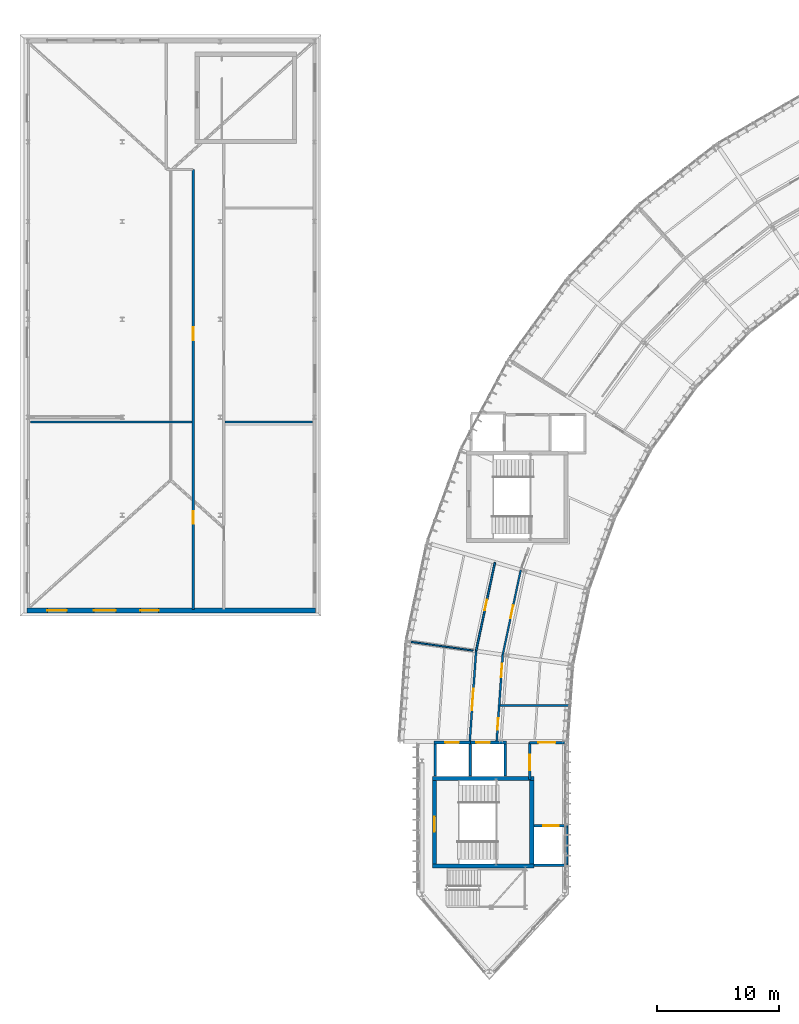
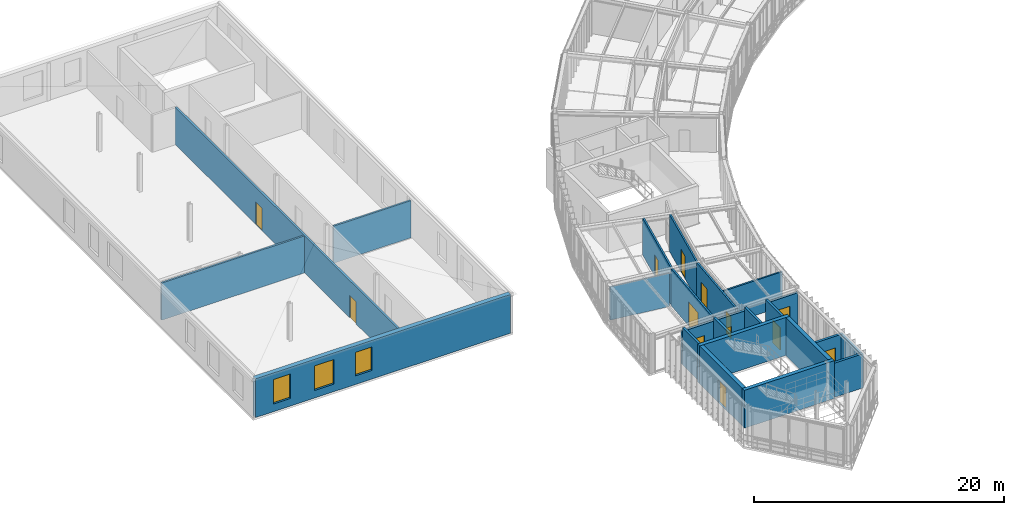
# One storey, part 29 of 42: 24 walls, 13 doors, 3 windows, 16 openings.
"""IFC4 building model written with IfcOpenShell, lengths in metres."""

import ifcopenshell
import ifcopenshell.guid

model = None  # the IFC model being written
_history = None  # IfcOwnerHistory: only IFC2X3 demands one
_inside = {}  # id of a spatial element -> (the spatial element, [elements in it])
_under = {}  # id of a project, library or spatial element -> (it, [spatial elements below it])
_declared = {}  # id of a project -> (the project, [libraries it declares])
_typed = {}  # id of a type object -> (the type object, [elements of that type])
_made_of = {}  # id of a material, layer set ... -> (it, [elements and type objects made of it])


def new_model(schema):
    """Start an empty IFC model of exactly this schema.

    Asked for "IFC4X3", IfcOpenShell would pick the latest addendum, in which some entities
    have other attributes; the version numbers below select the first issue.
    IFC2X3 requires an IfcOwnerHistory on every rooted entity: one is made here for all.
    """
    global model, _history
    if schema == "IFC4X3":
        model = ifcopenshell.file(schema_version=(4, 3, 0, 0))
    else:
        model = ifcopenshell.file(schema=schema)
    _inside.clear()
    _under.clear()
    _declared.clear()
    _typed.clear()
    _made_of.clear()
    _history = None
    if model.schema == "IFC2X3":
        org = make("IfcOrganization", Name="unknown")
        user = make(
            "IfcPersonAndOrganization",
            ThePerson=make("IfcPerson", FamilyName="unknown"),
            TheOrganization=org,
        )
        app = make(
            "IfcApplication",
            ApplicationDeveloper=org,
            Version="unknown",
            ApplicationFullName="unknown",
            ApplicationIdentifier="unknown",
        )
        _history = make(
            "IfcOwnerHistory",
            OwningUser=user,
            OwningApplication=app,
            ChangeAction="ADDED",
            CreationDate=0,
        )
    return model


def make(cls, **values):
    """One entity of the class cls with the attributes given. An attribute that is None is left unset."""
    return model.create_entity(
        cls, **{name: value for name, value in values.items() if value is not None}
    )


def rooted(cls, **values):
    """An entity with a GlobalId (a new one), such as an element, a storey or a relation."""
    return make(cls, GlobalId=ifcopenshell.guid.new(), OwnerHistory=_history, **values)


def si_unit(unit_type, name, prefix=None):
    """IfcSIUnit, for example si_unit("LENGTHUNIT", "METRE", prefix="MILLI")."""
    return make("IfcSIUnit", UnitType=unit_type, Prefix=prefix, Name=name)


def assignment(units):
    """IfcUnitAssignment: the units of a project."""
    return None if units is None else make("IfcUnitAssignment", Units=units)


def point(xyz):
    """IfcCartesianPoint."""
    return None if xyz is None else make("IfcCartesianPoint", Coordinates=xyz)


def direction(xyz):
    """IfcDirection."""
    return None if xyz is None else make("IfcDirection", DirectionRatios=xyz)


def frame(location, z_axis=None, x_axis=None):
    """IfcAxis2Placement3D, a coordinate frame: its origin and axes. An axis left out is left unset."""
    return make(
        "IfcAxis2Placement3D",
        Location=point(location),
        Axis=direction(z_axis),
        RefDirection=direction(x_axis),
    )


def frame_2d(location, x_axis=None):
    """IfcAxis2Placement2D, a coordinate frame in the plane: its origin and x axis."""
    return make(
        "IfcAxis2Placement2D", Location=point(location), RefDirection=direction(x_axis)
    )


def origin():
    """The frame at (0, 0, 0) with its axes left unset."""
    return frame((0.0, 0.0, 0.0))


def place(relative_to, where):
    """IfcLocalPlacement: puts the frame where relative to a parent placement (None: the world)."""
    return make(
        "IfcLocalPlacement", PlacementRelTo=relative_to, RelativePlacement=where
    )


def context(
    kind, dimensions, precision=None, world=None, true_north=None, identifier=None
):
    """IfcGeometricRepresentationContext, for example the 3D "Model" context."""
    return make(
        "IfcGeometricRepresentationContext",
        ContextIdentifier=identifier,
        ContextType=kind,
        CoordinateSpaceDimension=dimensions,
        Precision=precision,
        WorldCoordinateSystem=world,
        TrueNorth=true_north,
    )


def subcontext(parent, identifier, kind, view, scale=None):
    """IfcGeometricRepresentationSubContext, for example "Body" below "Model"."""
    return make(
        "IfcGeometricRepresentationSubContext",
        ContextIdentifier=identifier,
        ContextType=kind,
        ParentContext=parent,
        TargetScale=scale,
        TargetView=view,
    )


def project(units=None, contexts=None):
    """IfcProject with its units and contexts."""
    return rooted(
        "IfcProject",
        Name="project",
        RepresentationContexts=contexts,
        UnitsInContext=assignment(units),
    )


def spatial(cls, under=None, at=None, **own):
    """A site, building, storey or space (cls), placed at a placement, below another one or the project."""
    s = rooted(cls, ObjectPlacement=at, **own)
    if under is not None:
        _under.setdefault(under.id(), (under, []))[1].append(s)
    return s


def profile(cls, at=None, kind="AREA", **sizes):
    """A parametric profile (cls). Its sizes go by their IFC names, for example OverallWidth=200.0."""
    return make(cls, ProfileType=kind, Position=at, **sizes)


def rectangle(**sizes):
    """IfcRectangleProfileDef."""
    return profile("IfcRectangleProfileDef", **sizes)


def extrude(swept, where, along, depth):
    """IfcExtrudedAreaSolid: the profile swept, set in the frame where, extruded along a direction by depth."""
    return make(
        "IfcExtrudedAreaSolid",
        SweptArea=swept,
        Position=where,
        ExtrudedDirection=direction(along),
        Depth=depth,
    )


def shape(context_of_items, identifier, shape_type, items):
    """IfcShapeRepresentation: the items that make up one representation, for example the "Body"."""
    return make(
        "IfcShapeRepresentation",
        ContextOfItems=context_of_items,
        RepresentationIdentifier=identifier,
        RepresentationType=shape_type,
        Items=items,
    )


def material(Name=None, Category=None):
    """IfcMaterial."""
    return make("IfcMaterial", Name=Name, Category=Category)


def layer(
    of_material, thickness, ventilated=None, Name=None, Category=None, Priority=None
):
    """IfcMaterialLayer: one layer of a wall or slab, of a material (None: an air gap)."""
    return make(
        "IfcMaterialLayer",
        Material=of_material,
        LayerThickness=thickness,
        IsVentilated=ventilated,
        Name=Name,
        Category=Category,
        Priority=Priority,
    )


def layer_set(layers, Name=None):
    """IfcMaterialLayerSet."""
    return make("IfcMaterialLayerSet", MaterialLayers=layers, LayerSetName=Name)


def made_of(thing, what):
    """Note that an element or type object is made of a material, layer set ...; save() writes the relation."""
    if what is not None:
        _made_of.setdefault(what.id(), (what, []))[1].append(thing)
    return thing


def type_object(cls, material=None, **own):
    """A type object (cls), such as IfcWallType, which elements share."""
    return made_of(rooted(cls, **own), material)


def element(
    cls,
    number,
    at=None,
    inside=None,
    cuts=None,
    type_object=None,
    material=None,
    context=None,
    identifier="Body",
    shape_type=None,
    held_by="IfcProductDefinitionShape",
    body=None,
    shapes=None,
    **own,
):
    """One element of the class cls, such as IfcWall. Its Tag is "e" and its number.

    at: its placement. inside: the storey or other place that contains it. cuts: it is an
    opening in that element (IfcRelVoidsElement). A single representation is given by context,
    identifier, shape_type and body (its items); several are given by shapes. held_by: the class
    of the entity that holds the representations. save() writes the other relations.
    """
    e = rooted(cls, Tag="e%d" % number, ObjectPlacement=at, **own)
    if body is not None:
        shapes = [shape(context, identifier, shape_type, body)]
    if shapes is not None:
        e.Representation = make(held_by, Representations=shapes)
    if inside is not None:
        _inside.setdefault(inside.id(), (inside, []))[1].append(e)
    if cuts is not None:
        rooted(
            "IfcRelVoidsElement", RelatingBuildingElement=cuts, RelatedOpeningElement=e
        )
    if type_object is not None:
        _typed.setdefault(type_object.id(), (type_object, []))[1].append(e)
    return made_of(e, material)


def fill(opening, filler):
    """IfcRelFillsElement: the door or window that sits in an opening."""
    return rooted(
        "IfcRelFillsElement",
        RelatingOpeningElement=opening,
        RelatedBuildingElement=filler,
    )


def aggregate(whole, parts):
    """IfcRelAggregates: a whole, such as a stair, and the parts it consists of."""
    return rooted("IfcRelAggregates", RelatingObject=whole, RelatedObjects=parts)


def save(model, path):
    """Write the relations noted so far, then the file.

    IfcRelAggregates (storeys below a building ...), IfcRelContainedInSpatialStructure (elements
    in a storey), IfcRelDefinesByType, IfcRelAssociatesMaterial and IfcRelDeclares: one each for
    every whole, place, type object, material and project.
    """
    for whole, parts in _under.values():
        aggregate(whole, parts)
    for where, things in _inside.values():
        rooted(
            "IfcRelContainedInSpatialStructure",
            RelatedElements=things,
            RelatingStructure=where,
        )
    for kind, things in _typed.values():
        rooted("IfcRelDefinesByType", RelatedObjects=things, RelatingType=kind)
    for what, things in _made_of.values():
        rooted("IfcRelAssociatesMaterial", RelatedObjects=things, RelatingMaterial=what)
    for by, libraries in _declared.values():
        rooted("IfcRelDeclares", RelatingContext=by, RelatedDefinitions=libraries)
    model.write(path)


model = new_model("IFC4")

# Units and contexts
model_context = context("Model", 3, precision=1e-05, world=origin(), true_north=direction((0.0, 1.0)))
body_context = subcontext(model_context, "Body", "Model", "MODEL_VIEW")
ifc_project = project(units=[si_unit("LENGTHUNIT", "METRE"), si_unit("AREAUNIT", "SQUARE_METRE"), si_unit("VOLUMEUNIT", "CUBIC_METRE"), si_unit("PLANEANGLEUNIT", "RADIAN"), si_unit("MASSUNIT", "GRAM", prefix="KILO"), si_unit("THERMODYNAMICTEMPERATUREUNIT", "KELVIN"), si_unit("POWERUNIT", "WATT")], contexts=[model_context])

# Site, building, storey
site_placement = place(None, origin())
site = spatial("IfcSite", under=ifc_project, at=site_placement, CompositionType="ELEMENT")
building_placement = place(site_placement, origin())
building = spatial("IfcBuilding", under=site, at=building_placement, Name="Solvatero Civic Police Headquarters", CompositionType="ELEMENT")
storey_placement = place(building_placement, frame((0.0, 0.0, 21.60009765625)))
storey = spatial("IfcBuildingStorey", under=building, at=storey_placement, Name="L05", CompositionType="ELEMENT", Elevation=21.60009765625)

# Wall, openings, windows
ifc_material_1 = material(Name="Cream Limestone Ashlar", Category="masonry")
ifc_layer_1 = layer(ifc_material_1, 0.419921875)
ifc_layer_set_1 = layer_set([ifc_layer_1], Name="Cream Limestone Ashlar")
wall_type_1 = type_object("IfcWallType", Name="WL-EXT-LIME-420", PredefinedType="SOLIDWALL", material=ifc_layer_set_1)
wall_1_placement = place(storey_placement, frame((4.719970703125, 36.7099609375, 0.0), z_axis=(0.0, 0.0, 1.0), x_axis=(1.0, 0.0, 0.0)))
wall_1 = element("IfcWall", 1, at=wall_1_placement, inside=storey, type_object=wall_type_1, Name="Exterior Wall WLE-L05-V6-S", PredefinedType="SOLIDWALL", context=body_context, shape_type="SweptSolid", body=[
    extrude(rectangle(XDim=23.56005859375, YDim=0.419921875, at=frame_2d((11.780029296875, 0.0))), origin(), (0.0, 0.0, 1.0), 3.77978515625),
])
opening_1_placement = place(wall_1_placement, frame((1.64990234375, 0.0, 0.739990234375)))
opening_1 = element("IfcOpeningElement", 2, at=opening_1_placement, cuts=wall_1, Name="Opening W-04", PredefinedType="OPENING", context=body_context, shape_type="SweptSolid", body=[
    extrude(rectangle(XDim=1.60009765625, YDim=2.39990234375, at=frame_2d((0.800048828125, 1.199951171875))), frame((0.0, 0.219970703125, 0.0), z_axis=(0.0, -1.0, 0.0), x_axis=(1.0, 0.0, 0.0)), (0.0, 0.0, 1.0), 0.43994140625),
])
opening_2_placement = place(wall_1_placement, frame((5.449951171875, 0.0, 0.739990234375)))
opening_2 = element("IfcOpeningElement", 3, at=opening_2_placement, cuts=wall_1, Name="Opening W-05", PredefinedType="OPENING", context=body_context, shape_type="SweptSolid", body=[
    extrude(rectangle(XDim=1.800048828125, YDim=2.39990234375, at=frame_2d((0.89990234375, 1.199951171875))), frame((0.0, 0.219970703125, 0.0), z_axis=(0.0, -1.0, 0.0), x_axis=(1.0, 0.0, 0.0)), (0.0, 0.0, 1.0), 0.43994140625),
])
opening_3_placement = place(wall_1_placement, frame((9.25, 0.0, 0.840087890625)))
opening_3 = element("IfcOpeningElement", 4, at=opening_3_placement, cuts=wall_1, Name="Opening W-03", PredefinedType="OPENING", context=body_context, shape_type="SweptSolid", body=[
    extrude(rectangle(XDim=1.5, YDim=2.300048828125, at=frame_2d((0.75, 1.14990234375))), frame((0.0, 0.219970703125, 0.0), z_axis=(0.0, -1.0, 0.0), x_axis=(1.0, 0.0, 0.0)), (0.0, 0.0, 1.0), 0.43994140625),
])
ifc_material_2 = material(Name="Anodized Bronze Aluminium", Category="aluminium")
window_type_1 = type_object("IfcWindowType", Name="WN-CL-150x230", PartitioningType="SINGLE_PANEL", PredefinedType="WINDOW", material=ifc_material_2)
window_1_placement = place(opening_3_placement, origin())
window_1 = element("IfcWindow", 5, at=window_1_placement, inside=storey, type_object=window_type_1, Name="Exterior Window 0139", OverallHeight=2.300048828125, OverallWidth=1.5, PartitioningType="SINGLE_PANEL", PredefinedType="WINDOW", context=body_context, shape_type="SweptSolid", body=[
    extrude(rectangle(XDim=1.5, YDim=2.300048828125, at=frame_2d((0.75, 1.14990234375))), frame((0.0, 0.030029296875, 0.0), z_axis=(0.0, -1.0, 0.0), x_axis=(1.0, 0.0, 0.0)), (0.0, 0.0, 1.0), 0.06005859375),
])
fill(opening_3, window_1)
window_type_2 = type_object("IfcWindowType", Name="WN-CL-160x240", PartitioningType="SINGLE_PANEL", PredefinedType="WINDOW", material=ifc_material_2)
window_2_placement = place(opening_1_placement, origin())
window_2 = element("IfcWindow", 6, at=window_2_placement, inside=storey, type_object=window_type_2, Name="Exterior Window 0137", OverallHeight=2.39990234375, OverallWidth=1.60009765625, PartitioningType="SINGLE_PANEL", PredefinedType="WINDOW", context=body_context, shape_type="SweptSolid", body=[
    extrude(rectangle(XDim=1.60009765625, YDim=2.39990234375, at=frame_2d((0.800048828125, 1.199951171875))), frame((0.0, 0.030029296875, 0.0), z_axis=(0.0, -1.0, 0.0), x_axis=(1.0, 0.0, 0.0)), (0.0, 0.0, 1.0), 0.06005859375),
])
fill(opening_1, window_2)
window_type_3 = type_object("IfcWindowType", Name="WN-CL-180x240", PartitioningType="SINGLE_PANEL", PredefinedType="WINDOW", material=ifc_material_2)
window_3_placement = place(opening_2_placement, origin())
window_3 = element("IfcWindow", 7, at=window_3_placement, inside=storey, type_object=window_type_3, Name="Exterior Window 0138", OverallHeight=2.39990234375, OverallWidth=1.800048828125, PartitioningType="SINGLE_PANEL", PredefinedType="WINDOW", context=body_context, shape_type="SweptSolid", body=[
    extrude(rectangle(XDim=1.800048828125, YDim=2.39990234375, at=frame_2d((0.89990234375, 1.199951171875))), frame((0.0, 0.030029296875, 0.0), z_axis=(0.0, -1.0, 0.0), x_axis=(1.0, 0.0, 0.0)), (0.0, 0.0, 1.0), 0.06005859375),
])
fill(opening_2, window_3)

# Wall
ifc_material_3 = material(Name="Gypsum Acoustic Stud", Category="gypsum")
ifc_layer_2 = layer(ifc_material_3, 0.1201171875)
ifc_layer_set_2 = layer_set([ifc_layer_2], Name="Gypsum Acoustic Stud")
wall_type_2 = type_object("IfcWallType", Name="WL-PTN-120", PredefinedType="PARTITIONING", material=ifc_layer_set_2)
wall_2_placement = place(storey_placement, frame((41.169189453125, 33.4248046875, 0.0), z_axis=(0.0, 0.0, 1.0), x_axis=(-0.990266484291, 0.13918437445, 0.0)))
element("IfcWall", 8, at=wall_2_placement, inside=storey, type_object=wall_type_2, Name="Interior Partition WLP-L05-ARC-RAD-B11", PredefinedType="PARTITIONING", context=body_context, shape_type="SweptSolid", body=[
    extrude(rectangle(XDim=5.14990234375, YDim=0.1201171875, at=frame_2d((2.574951171875, 0.0))), origin(), (0.0, 0.0, 1.0), 3.25),
])

# Wall, opening, door
ifc_layer_3 = layer(ifc_material_3, 0.14990234375)
ifc_layer_set_3 = layer_set([ifc_layer_3], Name="Gypsum Acoustic Stud")
wall_type_3 = type_object("IfcWallType", Name="WL-PTN-150", PredefinedType="PARTITIONING", material=ifc_layer_set_3)
wall_3_placement = place(storey_placement, frame((45.07177734375, 40.02978515625, 0.0), z_axis=(0.0, 0.0, 1.0), x_axis=(-0.207903987445, -0.978149238104, 0.0)))
wall_3 = element("IfcWall", 9, at=wall_3_placement, inside=storey, type_object=wall_type_3, Name="Interior Partition WLP-L05-ARC-CIN-B11", PredefinedType="PARTITIONING", context=body_context, shape_type="SweptSolid", body=[
    extrude(rectangle(XDim=7.10107421875, YDim=0.14990234375, at=frame_2d((3.550537109375, 0.0))), origin(), (0.0, 0.0, 1.0), 3.619873046875),
])
opening_4_placement = place(wall_3_placement, frame((2.98193359375, 0.0, 0.0)))
opening_4 = element("IfcOpeningElement", 10, at=opening_4_placement, cuts=wall_3, Name="Opening ID-07", PredefinedType="OPENING", context=body_context, shape_type="SweptSolid", body=[
    extrude(rectangle(XDim=1.050048828125, YDim=2.199951171875, at=frame_2d((0.52490234375, 1.10009765625))), frame((0.0, 0.0849609375, 0.0), z_axis=(0.0, -1.0, 0.0), x_axis=(1.0, 0.0, 0.0)), (0.0, 0.0, 1.0), 0.169921875),
])
ifc_material_4 = material(Name="Powder-Coated Steel", Category="steel")
door_type_1 = type_object("IfcDoorType", Name="DR-LAB-105x220", OperationType="NOTDEFINED", PredefinedType="DOOR", material=ifc_material_4)
door_1_placement = place(opening_4_placement, origin())
door_1 = element("IfcDoor", 11, at=door_1_placement, inside=storey, type_object=door_type_1, Name="Interior Door DR-L05-ARC-IN-B11", OperationType="SINGLE_SWING_RIGHT", OverallHeight=2.199951171875, OverallWidth=1.050048828125, PredefinedType="DOOR", context=body_context, shape_type="SweptSolid", body=[
    extrude(rectangle(XDim=1.050048828125, YDim=2.199951171875, at=frame_2d((0.52490234375, 1.10009765625))), frame((0.0, 0.02490234375, 0.0), z_axis=(0.0, -1.0, 0.0), x_axis=(1.0, 0.0, 0.0)), (0.0, 0.0, 1.0), 0.050048828125),
])
fill(opening_4, door_1)

wall_4_placement = place(storey_placement, frame((42.95703125, 40.63623046875, 0.0), z_axis=(0.0, 0.0, 1.0), x_axis=(-0.207921820376, -0.978145447575, 0.0)))
wall_4 = element("IfcWall", 12, at=wall_4_placement, inside=storey, type_object=wall_type_3, Name="Interior Partition WLP-L05-ARC-COUT-B11", PredefinedType="PARTITIONING", context=body_context, shape_type="SweptSolid", body=[
    extrude(rectangle(XDim=7.407958984375, YDim=0.14990234375, at=frame_2d((3.7041015625, 0.0))), origin(), (0.0, 0.0, 1.0), 3.619873046875),
])
opening_5_placement = place(wall_4_placement, frame((3.111083984375, 0.0, 0.0)))
opening_5 = element("IfcOpeningElement", 13, at=opening_5_placement, cuts=wall_4, Name="Opening ID-02", PredefinedType="OPENING", context=body_context, shape_type="SweptSolid", body=[
    extrude(rectangle(XDim=0.89990234375, YDim=2.10009765625, at=frame_2d((0.449951171875, 1.050048828125))), frame((0.0, 0.0849609375, 0.0), z_axis=(0.0, -1.0, 0.0), x_axis=(1.0, 0.0, 0.0)), (0.0, 0.0, 1.0), 0.169921875),
])
ifc_material_5 = material(Name="Acoustic Oak Timber Veneer", Category="wood")
door_type_2 = type_object("IfcDoorType", Name="DR-OFF-090x210", OperationType="NOTDEFINED", PredefinedType="DOOR", material=ifc_material_5)
door_2_placement = place(opening_5_placement, origin())
door_2 = element("IfcDoor", 14, at=door_2_placement, inside=storey, type_object=door_type_2, Name="Interior Door DR-L05-ARC-OUT-B11", OperationType="SINGLE_SWING_LEFT", OverallHeight=2.10009765625, OverallWidth=0.89990234375, PredefinedType="DOOR", context=body_context, shape_type="SweptSolid", body=[
    extrude(rectangle(XDim=0.89990234375, YDim=2.10009765625, at=frame_2d((0.449951171875, 1.050048828125))), frame((0.0, 0.02490234375, 0.0), z_axis=(0.0, -1.0, 0.0), x_axis=(1.0, 0.0, 0.0)), (0.0, 0.0, 1.0), 0.050048828125),
])
fill(opening_5, door_2)

# Walls
wall_5_placement = place(storey_placement, frame((43.374755859375, 28.929931640625, 0.0), z_axis=(0.0, 0.0, 1.0), x_axis=(1.0, 0.0, 0.0)))
element("IfcWall", 15, at=wall_5_placement, inside=storey, type_object=wall_type_3, Name="Interior Partition WLP-L05-ARC-WCDIV-B12", PredefinedType="PARTITIONING", context=body_context, shape_type="SweptSolid", body=[
    extrude(rectangle(XDim=5.630126953125, YDim=0.14990234375, at=frame_2d((2.81494140625, 0.0))), origin(), (0.0, 0.0, 1.0), 3.39794921875),
])
ifc_material_6 = material(Name="Concrete Blockwork", Category="masonry")
ifc_layer_4 = layer(ifc_material_6, 0.1650390625)
ifc_layer_set_4 = layer_set([ifc_layer_4], Name="Concrete Blockwork")
wall_type_4 = type_object("IfcWallType", Name="WL-PTN-165", PredefinedType="PARTITIONING", material=ifc_layer_set_4)
wall_6_placement = place(storey_placement, frame((5.0, 52.10009765625, 0.0), z_axis=(0.0, 0.0, 1.0), x_axis=(1.0, 0.0, 0.0)))
element("IfcWall", 16, at=wall_6_placement, inside=storey, type_object=wall_type_4, Name="Interior Partition WLP-L05-V6-H1", PredefinedType="PARTITIONING", context=body_context, shape_type="SweptSolid", body=[
    extrude(rectangle(XDim=13.199951171875, YDim=0.1650390625, at=frame_2d((6.60009765625, 0.0))), origin(), (0.0, 0.0, 1.0), 3.619873046875),
])
wall_7_placement = place(storey_placement, frame((20.89990234375, 52.10009765625, 0.0), z_axis=(0.0, 0.0, 1.0), x_axis=(1.0, 0.0, 0.0)))
element("IfcWall", 17, at=wall_7_placement, inside=storey, type_object=wall_type_4, Name="Interior Partition WLP-L05-V6-H2", PredefinedType="PARTITIONING", context=body_context, shape_type="SweptSolid", body=[
    extrude(rectangle(XDim=7.150146484375, YDim=0.1650390625, at=frame_2d((3.5751953125, 0.0))), origin(), (0.0, 0.0, 1.0), 3.619873046875),
])

# Wall, openings, doors
wall_8_placement = place(storey_placement, frame((43.595458984375, 33.083984375, 0.0), z_axis=(0.0, 0.0, 1.0), x_axis=(-0.069756597752, -0.997564041588, 0.0)))
wall_8 = element("IfcWall", 18, at=wall_8_placement, inside=storey, type_object=wall_type_4, Name="Interior Partition WLP-L05-ARC-CIN-B12", PredefinedType="PARTITIONING", context=body_context, shape_type="SweptSolid", body=[
    extrude(rectangle(XDim=7.101318359375, YDim=0.1650390625, at=frame_2d((3.55078125, 0.0))), origin(), (0.0, 0.0, 1.0), 3.619873046875),
])
opening_6_placement = place(wall_8_placement, frame((5.200927734375, 0.0, 0.0)))
opening_6 = element("IfcOpeningElement", 19, at=opening_6_placement, cuts=wall_8, Name="Opening ID-04", PredefinedType="OPENING", context=body_context, shape_type="SweptSolid", body=[
    extrude(rectangle(XDim=0.949951171875, YDim=2.14990234375, at=frame_2d((0.47509765625, 1.074951171875))), frame((0.0, 0.092529296875, 0.0), z_axis=(0.0, -1.0, 0.0), x_axis=(1.0, 0.0, 0.0)), (0.0, 0.0, 1.0), 0.18505859375),
])
opening_7_placement = place(wall_8_placement, frame((0.75, 0.0, 0.0)))
opening_7 = element("IfcOpeningElement", 20, at=opening_7_placement, cuts=wall_8, Name="Opening ID-08", PredefinedType="OPENING", context=body_context, shape_type="SweptSolid", body=[
    extrude(rectangle(XDim=1.080078125, YDim=2.219970703125, at=frame_2d((0.5400390625, 1.10986328125))), frame((0.0, 0.092529296875, 0.0), z_axis=(0.0, -1.0, 0.0), x_axis=(1.0, 0.0, 0.0)), (0.0, 0.0, 1.0), 0.18505859375),
])
door_type_3 = type_object("IfcDoorType", Name="DR-ACC-095x215", OperationType="NOTDEFINED", PredefinedType="DOOR", material=ifc_material_5)
door_3_placement = place(opening_6_placement, origin())
door_3 = element("IfcDoor", 21, at=door_3_placement, inside=storey, type_object=door_type_3, Name="Interior Door DR-L05-ARC-WC-B12", OperationType="SINGLE_SWING_RIGHT", OverallHeight=2.14990234375, OverallWidth=0.949951171875, PredefinedType="DOOR", context=body_context, shape_type="SweptSolid", body=[
    extrude(rectangle(XDim=0.949951171875, YDim=2.14990234375, at=frame_2d((0.47509765625, 1.074951171875))), frame((0.0, 0.02490234375, 0.0), z_axis=(0.0, -1.0, 0.0), x_axis=(1.0, 0.0, 0.0)), (0.0, 0.0, 1.0), 0.050048828125),
])
fill(opening_6, door_3)
door_type_4 = type_object("IfcDoorType", Name="DR-LAB-108x222", OperationType="NOTDEFINED", PredefinedType="DOOR", material=ifc_material_4)
door_4_placement = place(opening_7_placement, origin())
door_4 = element("IfcDoor", 22, at=door_4_placement, inside=storey, type_object=door_type_4, Name="Interior Door DR-L05-ARC-IN-B12", OperationType="SINGLE_SWING_LEFT", OverallHeight=2.219970703125, OverallWidth=1.080078125, PredefinedType="DOOR", context=body_context, shape_type="SweptSolid", body=[
    extrude(rectangle(XDim=1.080078125, YDim=2.219970703125, at=frame_2d((0.5400390625, 1.10986328125))), frame((0.0, 0.02490234375, 0.0), z_axis=(0.0, -1.0, 0.0), x_axis=(1.0, 0.0, 0.0)), (0.0, 0.0, 1.0), 0.050048828125),
])
fill(opening_7, door_4)

# Wall, opening, door
wall_9_placement = place(storey_placement, frame((41.416748046875, 33.39013671875, 0.0), z_axis=(0.0, 0.0, 1.0), x_axis=(-0.069766817412, -0.997563326906, 0.0)))
wall_9 = element("IfcWall", 23, at=wall_9_placement, inside=storey, type_object=wall_type_4, Name="Interior Partition WLP-L05-ARC-COUT-B12", PredefinedType="PARTITIONING", context=body_context, shape_type="SweptSolid", body=[
    extrude(rectangle(XDim=7.408203125, YDim=0.1650390625, at=frame_2d((3.7041015625, 0.0))), origin(), (0.0, 0.0, 1.0), 3.619873046875),
])
opening_8_placement = place(wall_9_placement, frame((3.111083984375, 0.0, 0.0)))
opening_8 = element("IfcOpeningElement", 24, at=opening_8_placement, cuts=wall_9, Name="Opening ID-17", PredefinedType="OPENING", context=body_context, shape_type="SweptSolid", body=[
    extrude(rectangle(XDim=1.760009765625, YDim=2.360107421875, at=frame_2d((0.8798828125, 1.18017578125))), frame((0.0, 0.092529296875, 0.0), z_axis=(0.0, -1.0, 0.0), x_axis=(1.0, 0.0, 0.0)), (0.0, 0.0, 1.0), 0.18505859375),
])
door_type_5 = type_object("IfcDoorType", Name="DR-DBL-176x236", OperationType="NOTDEFINED", PredefinedType="DOOR", material=ifc_material_4)
door_5_placement = place(opening_8_placement, origin())
door_5 = element("IfcDoor", 25, at=door_5_placement, inside=storey, type_object=door_type_5, Name="Interior Door DR-L05-ARC-OUT-B12", OperationType="DOUBLE_DOOR_SINGLE_SWING", OverallHeight=2.360107421875, OverallWidth=1.760009765625, PredefinedType="DOOR", context=body_context, shape_type="SweptSolid", body=[
    extrude(rectangle(XDim=1.760009765625, YDim=2.360107421875, at=frame_2d((0.8798828125, 1.18017578125))), frame((0.0, 0.02490234375, 0.0), z_axis=(0.0, -1.0, 0.0), x_axis=(1.0, 0.0, 0.0)), (0.0, 0.0, 1.0), 0.050048828125),
])
fill(opening_8, door_5)

# Wall, openings, doors
ifc_layer_5 = layer(ifc_material_6, 0.179931640625)
ifc_layer_set_5 = layer_set([ifc_layer_5], Name="Concrete Blockwork")
wall_type_5 = type_object("IfcWallType", Name="WL-PTN-180", PredefinedType="PARTITIONING", material=ifc_layer_set_5)
wall_10_placement = place(storey_placement, frame((18.300048828125, 36.800048828125, 0.0), z_axis=(0.0, 0.0, 1.0), x_axis=(0.0, 1.0, 0.0)))
wall_10 = element("IfcWall", 26, at=wall_10_placement, inside=storey, type_object=wall_type_5, Name="Interior Partition WLP-L05-V6-CW", PredefinedType="PARTITIONING", context=body_context, shape_type="SweptSolid", body=[
    extrude(rectangle(XDim=35.949951171875, YDim=0.179931640625, at=frame_2d((17.97509765625, 0.0))), origin(), (0.0, 0.0, 1.0), 3.619873046875),
])
opening_9_placement = place(wall_10_placement, frame((7.0, 0.0, 0.0)))
opening_9 = element("IfcOpeningElement", 27, at=opening_9_placement, cuts=wall_10, Name="Opening ID-06", PredefinedType="OPENING", context=body_context, shape_type="SweptSolid", body=[
    extrude(rectangle(XDim=1.02001953125, YDim=2.179931640625, at=frame_2d((0.510009765625, 1.08984375))), frame((0.0, 0.099853515625, 0.0), z_axis=(0.0, -1.0, 0.0), x_axis=(1.0, 0.0, 0.0)), (0.0, 0.0, 1.0), 0.199951171875),
])
opening_10_placement = place(wall_10_placement, frame((22.0, 0.0, 0.0)))
opening_10 = element("IfcOpeningElement", 28, at=opening_10_placement, cuts=wall_10, Name="Opening ID-07", PredefinedType="OPENING", context=body_context, shape_type="SweptSolid", body=[
    extrude(rectangle(XDim=1.050048828125, YDim=2.199951171875, at=frame_2d((0.52490234375, 1.10009765625))), frame((0.0, 0.099853515625, 0.0), z_axis=(0.0, -1.0, 0.0), x_axis=(1.0, 0.0, 0.0)), (0.0, 0.0, 1.0), 0.199951171875),
])
door_type_6 = type_object("IfcDoorType", Name="DR-LAB-102x218", OperationType="NOTDEFINED", PredefinedType="DOOR", material=ifc_material_4)
door_6_placement = place(opening_9_placement, origin())
door_6 = element("IfcDoor", 29, at=door_6_placement, inside=storey, type_object=door_type_6, Name="Interior Door DR-L05-V6-SW", OperationType="SINGLE_SWING_LEFT", OverallHeight=2.179931640625, OverallWidth=1.02001953125, PredefinedType="DOOR", context=body_context, shape_type="SweptSolid", body=[
    extrude(rectangle(XDim=1.02001953125, YDim=2.179931640625, at=frame_2d((0.510009765625, 1.08984375))), frame((0.0, 0.02490234375, 0.0), z_axis=(0.0, -1.0, 0.0), x_axis=(1.0, 0.0, 0.0)), (0.0, 0.0, 1.0), 0.050048828125),
])
fill(opening_9, door_6)
door_7_placement = place(opening_10_placement, origin())
door_7 = element("IfcDoor", 30, at=door_7_placement, inside=storey, type_object=door_type_1, Name="Interior Door DR-L05-V6-NW", OperationType="SINGLE_SWING_RIGHT", OverallHeight=2.199951171875, OverallWidth=1.050048828125, PredefinedType="DOOR", context=body_context, shape_type="SweptSolid", body=[
    extrude(rectangle(XDim=1.050048828125, YDim=2.199951171875, at=frame_2d((0.52490234375, 1.10009765625))), frame((0.0, 0.02490234375, 0.0), z_axis=(0.0, -1.0, 0.0), x_axis=(1.0, 0.0, 0.0)), (0.0, 0.0, 1.0), 0.050048828125),
])
fill(opening_10, door_7)

# Wall, opening, door
ifc_layer_6 = layer(ifc_material_6, 0.199951171875)
ifc_layer_set_6 = layer_set([ifc_layer_6], Name="Concrete Blockwork")
wall_type_6 = type_object("IfcWallType", Name="WL-PTN-200", PredefinedType="PARTITIONING", material=ifc_layer_set_6)
wall_11_placement = place(storey_placement, frame((45.800048828125, 22.89990234375, 0.0), z_axis=(0.0, 0.0, 1.0), x_axis=(0.0, 1.0, 0.0)))
wall_11 = element("IfcWall", 31, at=wall_11_placement, inside=storey, type_object=wall_type_6, Name="Interior Partition WLP-FFL-C1-L05-W", PredefinedType="PARTITIONING", context=body_context, shape_type="SweptSolid", body=[
    extrude(rectangle(XDim=3.0, YDim=0.199951171875, at=frame_2d((1.5, 0.0))), origin(), (0.0, 0.0, 1.0), 3.619873046875),
])
opening_11_placement = place(wall_11_placement, frame((0.75, 0.0, 0.0)))
opening_11 = element("IfcOpeningElement", 32, at=opening_11_placement, cuts=wall_11, Name="Opening FD-01", PredefinedType="OPENING", context=body_context, shape_type="SweptSolid", body=[
    extrude(rectangle(XDim=1.25, YDim=2.199951171875, at=frame_2d((0.625, 1.10009765625))), frame((0.0, 0.10986328125, 0.0), z_axis=(0.0, -1.0, 0.0), x_axis=(1.0, 0.0, 0.0)), (0.0, 0.0, 1.0), 0.219970703125),
])
door_type_7 = type_object("IfcDoorType", Name="DR-STR-125x220", OperationType="NOTDEFINED", PredefinedType="DOOR", material=ifc_material_4)
door_8_placement = place(opening_11_placement, origin())
door_8 = element("IfcDoor", 33, at=door_8_placement, inside=storey, type_object=door_type_7, Name="Interior Door DR-FFL-C1-L05-W", OperationType="SINGLE_SWING_LEFT", OverallHeight=2.199951171875, OverallWidth=1.25, PredefinedType="DOOR", context=body_context, shape_type="SweptSolid", body=[
    extrude(rectangle(XDim=1.25, YDim=2.199951171875, at=frame_2d((0.625, 1.10009765625))), frame((0.0, 0.02490234375, 0.0), z_axis=(0.0, -1.0, 0.0), x_axis=(1.0, 0.0, 0.0)), (0.0, 0.0, 1.0), 0.050048828125),
])
fill(opening_11, door_8)

wall_12_placement = place(storey_placement, frame((45.800048828125, 25.89990234375, 0.0), z_axis=(0.0, 0.0, 1.0), x_axis=(1.0, 0.0, 0.0)))
wall_12 = element("IfcWall", 34, at=wall_12_placement, inside=storey, type_object=wall_type_6, Name="Interior Partition WLP-FFL-C1-L05-N", PredefinedType="PARTITIONING", context=body_context, shape_type="SweptSolid", body=[
    extrude(rectangle(XDim=2.849853515625, YDim=0.199951171875, at=frame_2d((1.4248046875, 0.0))), origin(), (0.0, 0.0, 1.0), 3.2998046875),
])
opening_12_placement = place(wall_12_placement, frame((0.699951171875, 0.0, 0.0)))
opening_12 = element("IfcOpeningElement", 35, at=opening_12_placement, cuts=wall_12, Name="Opening FD-02", PredefinedType="OPENING", context=body_context, shape_type="SweptSolid", body=[
    extrude(rectangle(XDim=1.39990234375, YDim=2.25, at=frame_2d((0.699951171875, 1.125))), frame((0.0, 0.10986328125, 0.0), z_axis=(0.0, -1.0, 0.0), x_axis=(1.0, 0.0, 0.0)), (0.0, 0.0, 1.0), 0.219970703125),
])
door_type_8 = type_object("IfcDoorType", Name="DR-LOB-140x225", OperationType="NOTDEFINED", PredefinedType="DOOR", material=ifc_material_4)
door_9_placement = place(opening_12_placement, origin())
door_9 = element("IfcDoor", 36, at=door_9_placement, inside=storey, type_object=door_type_8, Name="Interior Door DR-FFL-C1-L05-ACC", OperationType="DOUBLE_DOOR_SINGLE_SWING", OverallHeight=2.25, OverallWidth=1.39990234375, PredefinedType="DOOR", context=body_context, shape_type="SweptSolid", body=[
    extrude(rectangle(XDim=1.39990234375, YDim=2.25, at=frame_2d((0.699951171875, 1.125))), frame((0.0, 0.02490234375, 0.0), z_axis=(0.0, -1.0, 0.0), x_axis=(1.0, 0.0, 0.0)), (0.0, 0.0, 1.0), 0.050048828125),
])
fill(opening_12, door_9)

# Wall
ifc_material_7 = material(Name="Concrete C35/45", Category="concrete")
ifc_layer_7 = layer(ifc_material_7, 0.219970703125)
ifc_layer_set_7 = layer_set([ifc_layer_7], Name="Concrete C35/45")
wall_type_7 = type_object("IfcWallType", Name="WL-SHF-220", PredefinedType="PARTITIONING", material=ifc_layer_set_7)
wall_13_placement = place(storey_placement, frame((46.159912109375, 15.889892578125, 0.0), z_axis=(0.0, 0.0, 1.0), x_axis=(1.0, 0.0, 0.0)))
element("IfcWall", 37, at=wall_13_placement, inside=storey, type_object=wall_type_7, Name="Lift Shaft Wall WLS-FL-01-L05-S", PredefinedType="PARTITIONING", context=body_context, shape_type="SweptSolid", body=[
    extrude(rectangle(XDim=2.760009765625, YDim=0.219970703125, at=frame_2d((1.3798828125, 0.0))), origin(), (0.0, 0.0, 1.0), 3.337890625),
])

# Wall, opening, door
wall_14_placement = place(storey_placement, frame((46.159912109375, 19.110107421875, 0.0), z_axis=(0.0, 0.0, 1.0), x_axis=(1.0, 0.0, 0.0)))
wall_14 = element("IfcWall", 38, at=wall_14_placement, inside=storey, type_object=wall_type_7, Name="Lift Shaft Wall WLS-FL-01-L05-N", PredefinedType="PARTITIONING", context=body_context, shape_type="SweptSolid", body=[
    extrude(rectangle(XDim=2.760009765625, YDim=0.219970703125, at=frame_2d((1.3798828125, 0.0))), origin(), (0.0, 0.0, 1.0), 3.337890625),
])
opening_13_placement = place(wall_14_placement, frame((0.72998046875, 0.0, 0.0)))
opening_13 = element("IfcOpeningElement", 39, at=opening_13_placement, cuts=wall_14, Name="Opening LD-02", PredefinedType="OPENING", context=body_context, shape_type="SweptSolid", body=[
    extrude(rectangle(XDim=1.300048828125, YDim=2.199951171875, at=frame_2d((0.64990234375, 1.10009765625))), frame((0.0, 0.119873046875, 0.0), z_axis=(0.0, -1.0, 0.0), x_axis=(1.0, 0.0, 0.0)), (0.0, 0.0, 1.0), 0.239990234375),
])
ifc_material_8 = material(Name="Stainless Steel Grade 316", Category="steel")
door_type_9 = type_object("IfcDoorType", Name="DR-LFT-130x220", OperationType="DOUBLE_DOOR_SLIDING", PredefinedType="DOOR", material=ifc_material_8)
door_10_placement = place(opening_13_placement, origin())
door_10 = element("IfcDoor", 40, at=door_10_placement, inside=storey, type_object=door_type_9, Name="Interior Door DR-LFT-FL-01-L05", OperationType="DOUBLE_DOOR_SLIDING", OverallHeight=2.199951171875, OverallWidth=1.300048828125, PredefinedType="DOOR", context=body_context, shape_type="SweptSolid", body=[
    extrude(rectangle(XDim=1.300048828125, YDim=2.199951171875, at=frame_2d((0.64990234375, 1.10009765625))), frame((0.0, 0.02490234375, 0.0), z_axis=(0.0, -1.0, 0.0), x_axis=(1.0, 0.0, 0.0)), (0.0, 0.0, 1.0), 0.050048828125),
])
fill(opening_13, door_10)

# Wall
wall_15_placement = place(storey_placement, frame((48.81005859375, 16.0, 0.0), z_axis=(0.0, 0.0, 1.0), x_axis=(0.0, 1.0, 0.0)))
element("IfcWall", 41, at=wall_15_placement, inside=storey, type_object=wall_type_7, Name="Lift Shaft Wall WLS-FL-01-L05-E", PredefinedType="PARTITIONING", context=body_context, shape_type="SweptSolid", body=[
    extrude(rectangle(XDim=3.0, YDim=0.219970703125, at=frame_2d((1.5, 0.0))), origin(), (0.0, 0.0, 1.0), 3.33984375),
])

# Wall, opening, door
wall_16_placement = place(storey_placement, frame((37.97998046875, 25.909912109375, 0.0), z_axis=(0.0, 0.0, 1.0), x_axis=(1.0, 0.0, 0.0)))
wall_16 = element("IfcWall", 42, at=wall_16_placement, inside=storey, type_object=wall_type_7, Name="Lift Shaft Wall WLS-LP-01-L05-N", PredefinedType="PARTITIONING", context=body_context, shape_type="SweptSolid", body=[
    extrude(rectangle(XDim=2.969970703125, YDim=0.219970703125, at=frame_2d((1.48486328125, 0.0))), origin(), (0.0, 0.0, 1.0), 3.25),
])
opening_14_placement = place(wall_16_placement, frame((0.93505859375, 0.0, 0.0)))
opening_14 = element("IfcOpeningElement", 43, at=opening_14_placement, cuts=wall_16, Name="Opening LD-01", PredefinedType="OPENING", context=body_context, shape_type="SweptSolid", body=[
    extrude(rectangle(XDim=1.10009765625, YDim=2.14990234375, at=frame_2d((0.550048828125, 1.074951171875))), frame((0.0, 0.119873046875, 0.0), z_axis=(0.0, -1.0, 0.0), x_axis=(1.0, 0.0, 0.0)), (0.0, 0.0, 1.0), 0.239990234375),
])
door_type_10 = type_object("IfcDoorType", Name="DR-LFT-110x215", OperationType="DOUBLE_DOOR_SLIDING", PredefinedType="DOOR", material=ifc_material_8)
door_11_placement = place(opening_14_placement, origin())
door_11 = element("IfcDoor", 44, at=door_11_placement, inside=storey, type_object=door_type_10, Name="Interior Door DR-LFT-LP-01-L05", OperationType="DOUBLE_DOOR_SLIDING", OverallHeight=2.14990234375, OverallWidth=1.10009765625, PredefinedType="DOOR", context=body_context, shape_type="SweptSolid", body=[
    extrude(rectangle(XDim=1.10009765625, YDim=2.14990234375, at=frame_2d((0.550048828125, 1.074951171875))), frame((0.0, 0.02490234375, 0.0), z_axis=(0.0, -1.0, 0.0), x_axis=(1.0, 0.0, 0.0)), (0.0, 0.0, 1.0), 0.050048828125),
])
fill(opening_14, door_11)

# Walls
for number, where, z_axis, x_axis, name in (
    (45, (38.090087890625, 23.159912109375, 0.0), (0.0, 0.0, 1.0), (0.0, 1.0, 0.0), "Lift Shaft Wall WLS-LP-01-L05-W"),
    (46, (40.949951171875, 23.159912109375, 0.0), (0.0, 0.0, 1.0), (0.0, 1.0, 0.0), "Lift Shaft Wall WLS-LP-01-L05-E"),
):
    element("IfcWall", number, at=place(storey_placement, frame(where, z_axis=z_axis, x_axis=x_axis)), inside=storey, type_object=wall_type_7, Name=name, PredefinedType="PARTITIONING", context=body_context, shape_type="SweptSolid", body=[
        extrude(rectangle(XDim=2.64013671875, YDim=0.219970703125, at=frame_2d((1.320068359375, 0.0))), origin(), (0.0, 0.0, 1.0), 3.619873046875),
    ])

# Wall, opening, door
wall_17_placement = place(storey_placement, frame((40.949951171875, 25.909912109375, 0.0), z_axis=(0.0, 0.0, 1.0), x_axis=(1.0, 0.0, 0.0)))
wall_17 = element("IfcWall", 47, at=wall_17_placement, inside=storey, type_object=wall_type_7, Name="Lift Shaft Wall WLS-LP-02-L05-N", PredefinedType="PARTITIONING", context=body_context, shape_type="SweptSolid", body=[
    extrude(rectangle(XDim=2.969970703125, YDim=0.219970703125, at=frame_2d((1.48486328125, 0.0))), origin(), (0.0, 0.0, 1.0), 3.25),
])
opening_15_placement = place(wall_17_placement, frame((0.485107421875, 0.0, 0.0)))
opening_15 = element("IfcOpeningElement", 48, at=opening_15_placement, cuts=wall_17, Name="Opening LD-01", PredefinedType="OPENING", context=body_context, shape_type="SweptSolid", body=[
    extrude(rectangle(XDim=1.10009765625, YDim=2.14990234375, at=frame_2d((0.550048828125, 1.074951171875))), frame((0.0, 0.119873046875, 0.0), z_axis=(0.0, -1.0, 0.0), x_axis=(1.0, 0.0, 0.0)), (0.0, 0.0, 1.0), 0.239990234375),
])
door_12_placement = place(opening_15_placement, origin())
door_12 = element("IfcDoor", 49, at=door_12_placement, inside=storey, type_object=door_type_10, Name="Interior Door DR-LFT-LP-02-L05", OperationType="DOUBLE_DOOR_SLIDING", OverallHeight=2.14990234375, OverallWidth=1.10009765625, PredefinedType="DOOR", context=body_context, shape_type="SweptSolid", body=[
    extrude(rectangle(XDim=1.10009765625, YDim=2.14990234375, at=frame_2d((0.550048828125, 1.074951171875))), frame((0.0, 0.02490234375, 0.0), z_axis=(0.0, -1.0, 0.0), x_axis=(1.0, 0.0, 0.0)), (0.0, 0.0, 1.0), 0.050048828125),
])
fill(opening_15, door_12)

# Walls
wall_18_placement = place(storey_placement, frame((43.81005859375, 23.159912109375, 0.0), z_axis=(0.0, 0.0, 1.0), x_axis=(0.0, 1.0, 0.0)))
element("IfcWall", 50, at=wall_18_placement, inside=storey, type_object=wall_type_7, Name="Lift Shaft Wall WLS-LP-02-L05-E", PredefinedType="PARTITIONING", context=body_context, shape_type="SweptSolid", body=[
    extrude(rectangle(XDim=2.64013671875, YDim=0.219970703125, at=frame_2d((1.320068359375, 0.0))), origin(), (0.0, 0.0, 1.0), 3.619873046875),
])
ifc_material_9 = material(Name="Concrete C40/50", Category="concrete")
ifc_layer_8 = layer(ifc_material_9, 0.35009765625)
ifc_layer_set_8 = layer_set([ifc_layer_8], Name="Concrete C40/50")
wall_type_8 = type_object("IfcWallType", Name="WL-SHR-350", PredefinedType="SHEAR", material=ifc_layer_set_8)
for number, where, z_axis, x_axis, name in (
    (51, (37.85009765625, 15.824951171875, 0.0), (0.0, 0.0, 1.0), (1.0, 0.0, 0.0), "Core C1 Shear Wall S L05"),
    (52, (37.85009765625, 22.97509765625, 0.0), (0.0, 0.0, 1.0), (1.0, 0.0, 0.0), "Core C1 Shear Wall N L05"),
):
    element("IfcWall", number, at=place(storey_placement, frame(where, z_axis=z_axis, x_axis=x_axis)), inside=storey, type_object=wall_type_8, Name=name, PredefinedType="SHEAR", context=body_context, shape_type="SweptSolid", body=[
        extrude(rectangle(XDim=8.2998046875, YDim=0.35009765625, at=frame_2d((4.14990234375, 0.0))), origin(), (0.0, 0.0, 1.0), 3.699951171875),
    ])

# Wall, opening, door
wall_19_placement = place(storey_placement, frame((38.02490234375, 16.0, 0.0), z_axis=(0.0, 0.0, 1.0), x_axis=(0.0, 1.0, 0.0)))
wall_19 = element("IfcWall", 53, at=wall_19_placement, inside=storey, type_object=wall_type_8, Name="Core C1 Shear Wall W L05", PredefinedType="SHEAR", context=body_context, shape_type="SweptSolid", body=[
    extrude(rectangle(XDim=6.800048828125, YDim=0.35009765625, at=frame_2d((3.39990234375, 0.0))), origin(), (0.0, 0.0, 1.0), 3.699951171875),
])
opening_16_placement = place(wall_19_placement, frame((2.60009765625, 0.0, 0.0)))
opening_16 = element("IfcOpeningElement", 54, at=opening_16_placement, cuts=wall_19, Name="Opening FD-01", PredefinedType="OPENING", context=body_context, shape_type="SweptSolid", body=[
    extrude(rectangle(XDim=1.25, YDim=2.199951171875, at=frame_2d((0.625, 1.10009765625))), frame((0.0, 0.18505859375, 0.0), z_axis=(0.0, -1.0, 0.0), x_axis=(1.0, 0.0, 0.0)), (0.0, 0.0, 1.0), 0.3701171875),
])
door_13_placement = place(opening_16_placement, origin())
door_13 = element("IfcDoor", 55, at=door_13_placement, inside=storey, type_object=door_type_7, Name="Interior Door DR-STR-C1-L05", OperationType="SINGLE_SWING_LEFT", OverallHeight=2.199951171875, OverallWidth=1.25, PredefinedType="DOOR", context=body_context, shape_type="SweptSolid", body=[
    extrude(rectangle(XDim=1.25, YDim=2.199951171875, at=frame_2d((0.625, 1.10009765625))), frame((0.0, 0.02490234375, 0.0), z_axis=(0.0, -1.0, 0.0), x_axis=(1.0, 0.0, 0.0)), (0.0, 0.0, 1.0), 0.050048828125),
])
fill(opening_16, door_13)

# Wall
wall_20_placement = place(storey_placement, frame((45.97509765625, 16.0, 0.0), z_axis=(0.0, 0.0, 1.0), x_axis=(0.0, 1.0, 0.0)))
element("IfcWall", 56, at=wall_20_placement, inside=storey, type_object=wall_type_8, Name="Core C1 Shear Wall E L05", PredefinedType="SHEAR", context=body_context, shape_type="SweptSolid", body=[
    extrude(rectangle(XDim=6.800048828125, YDim=0.35009765625, at=frame_2d((3.39990234375, 0.0))), origin(), (0.0, 0.0, 1.0), 3.699951171875),
])

save(model, "model.ifc")
